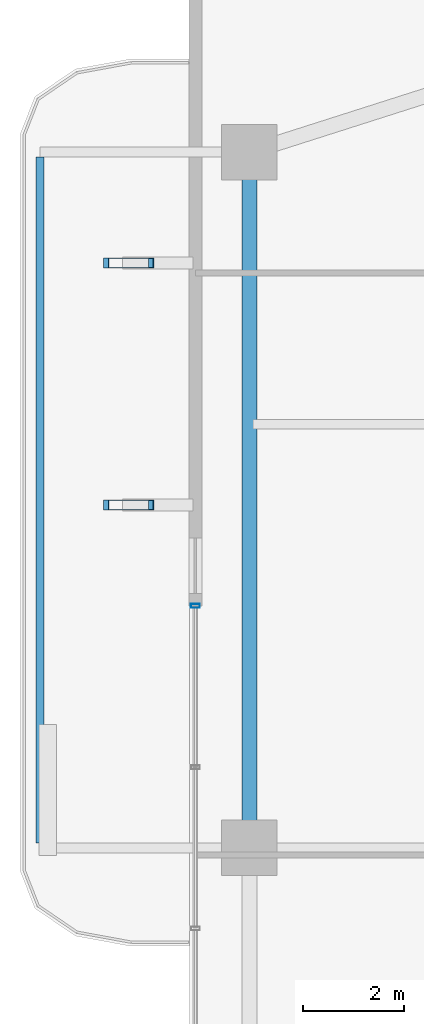
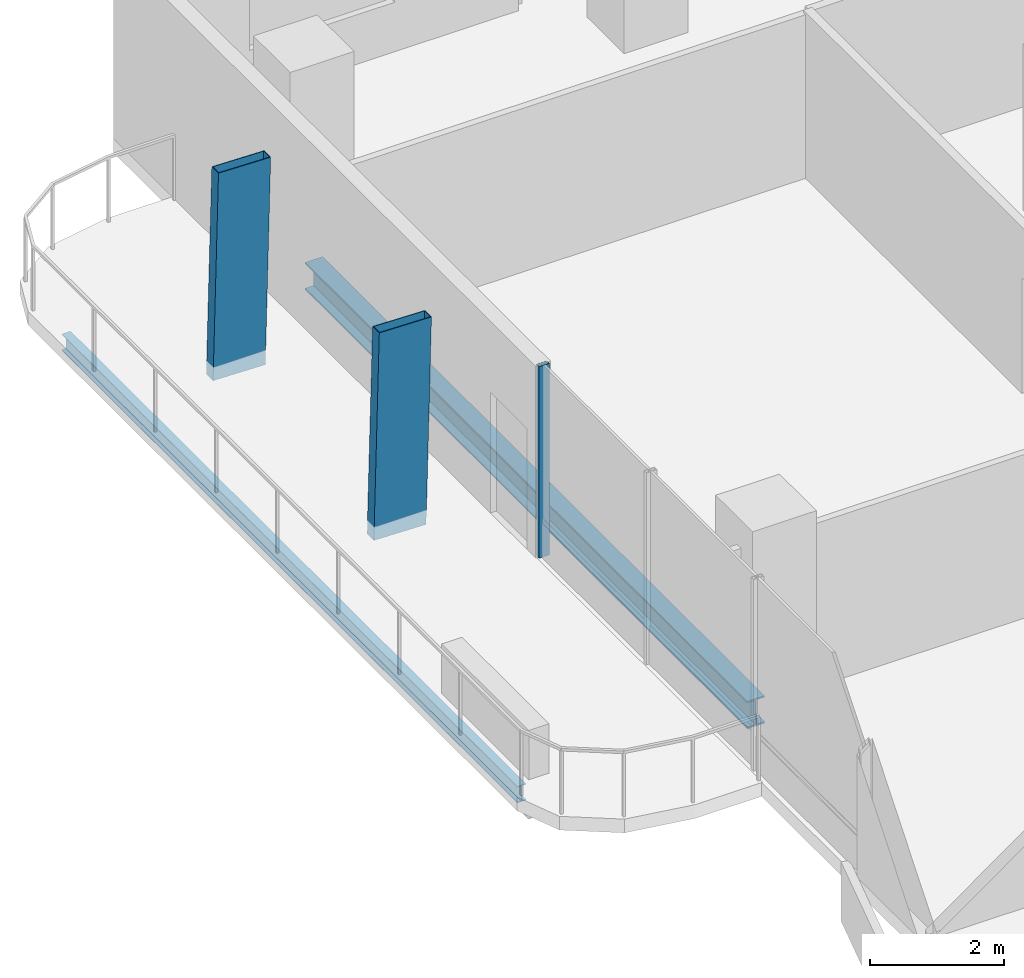
# One storey, part 12 of 25: 3 members, 2 beams, 1 element without a shape of its own.
"""IFC4 building model written with IfcOpenShell, lengths in metres."""

from ifc_helpers import new_model, si_unit, direction, frame, origin, origin_2d, place, context, subcontext, project, spatial, hollow_rectangle, i_section, extrude, material, layer, layer_set, material_profile, profile_set, type_object, element, aggregate, save


model = new_model("IFC4")

# Units and contexts
model_context = context("Model", 3, precision=1e-05, world=origin(), true_north=direction((0.0, 1.0)))
body_context = subcontext(model_context, "Body", "Model", "MODEL_VIEW")
ifc_project = project(units=[si_unit("LENGTHUNIT", "METRE"), si_unit("AREAUNIT", "SQUARE_METRE"), si_unit("VOLUMEUNIT", "CUBIC_METRE"), si_unit("PLANEANGLEUNIT", "RADIAN"), si_unit("MASSUNIT", "GRAM", prefix="KILO")], contexts=[model_context])

# Site, building, storey
site_placement = place(None, origin())
site = spatial("IfcSite", under=ifc_project, at=site_placement, CompositionType="ELEMENT")
building_placement = place(site_placement, origin())
building = spatial("IfcBuilding", under=site, at=building_placement, Name="Belovzor Exchange Tower", CompositionType="ELEMENT")
storey_placement = place(building_placement, frame((0.0, 0.0, 160.800048828125)))
storey = spatial("IfcBuildingStorey", under=building, at=storey_placement, Name="L39", CompositionType="ELEMENT", Elevation=160.800048828125)

# Beam
ifc_material_1 = material(Name="Steel S355", Category="steel")
ifc_material_profile_1 = material_profile(ifc_material_1, i_section(OverallWidth=0.14990234375, OverallDepth=0.300048828125, WebThickness=0.007080078125, FlangeThickness=0.0107421875, at=origin_2d()))
ifc_profile_set_1 = profile_set([ifc_material_profile_1], Name="Steel S355")
beam_type_1 = type_object("IfcBeamType", Name="Planted Balcony Fascia Edge Beam IPE 300", PredefinedType="BEAM", material=ifc_profile_set_1)
beam_1_placement = place(storey_placement, frame((1.547119140625, 42.5, -0.405029296875), z_axis=(0.0, -1.0, 0.0), x_axis=(1.0, 0.0, 0.0)))
element("IfcBeam", 1, at=beam_1_placement, inside=storey, type_object=beam_type_1, Name="BC-300 Planted Balcony Fascia Edge Beam IPE 300", PredefinedType="BEAM", context=body_context, shape_type="SweptSolid", body=[
    extrude(i_section(OverallWidth=0.14990234375, OverallDepth=0.300048828125, WebThickness=0.007080078125, FlangeThickness=0.0107421875, at=origin_2d()), origin(), (0.0, 0.0, 1.0), 13.60009765625),
])

# Members
ifc_material_2 = material(Name="Extruded Architectural Terracotta on Steel S355 Carrier", Category="masonry")
ifc_material_profile_2 = material_profile(ifc_material_2, hollow_rectangle(XDim=0.199951171875, YDim=0.89990234375, WallThickness=0.011962890625, at=origin_2d()))
ifc_profile_set_2 = profile_set([ifc_material_profile_2], Name="Extruded Architectural Terracotta on Steel S355 Carrier")
member_type_1 = type_object("IfcMemberType", Name="Sweeping Terracotta Baguette Fin Assembly 1250", PredefinedType="USERDEFINED", material=ifc_profile_set_2)
for number, where, z_axis, x_axis, name in (
    (2, (3.259033203125, 35.60009765625, -0.255126953125), (0.025057234181, 0.0, 0.999686018215), (0.0, 1.0, 0.0), "FIN-TC125 Terracotta Facade Fin L39 W3"),
    (3, (3.259033203125, 40.39990234375, -0.255126953125), (0.025057234181, 0.0, 0.999686018215), (0.0, 1.0, 0.0), "FIN-TC125 Terracotta Facade Fin L39 W4"),
):
    element("IfcMember", number, at=place(storey_placement, frame(where, z_axis=z_axis, x_axis=x_axis)), inside=storey, type_object=member_type_1, Name=name, ObjectType="FIN", PredefinedType="USERDEFINED", context=body_context, shape_type="SweptSolid", body=[
        extrude(hollow_rectangle(XDim=0.199951171875, YDim=0.89990234375, WallThickness=0.011962890625, at=origin_2d()), origin(), (0.0, 0.0, 1.0), 3.751220703125),
    ])

# Curtain wall, member
ifc_material_3 = material(Name="Anodised Aluminium Framing", Category="aluminium")
ifc_layer = layer(ifc_material_3, 0.179931640625)
ifc_layer_set = layer_set([ifc_layer], Name="Anodised Aluminium Framing")
curtain_wall_type = type_object("IfcCurtainWallType", Name="Recessed Loggia Low-Iron Triple-Glazed Curtain Wall", PredefinedType="NOTDEFINED", material=ifc_layer_set)
curtain_wall_placement = place(storey_placement, origin())
curtain_wall = element("IfcCurtainWall", 4, at=curtain_wall_placement, inside=storey, type_object=curtain_wall_type, Name="CW3 Recessed Loggia Low-Iron Triple-Glazed Curtain Wall L39", PredefinedType="NOTDEFINED")
ifc_material_4 = material(Name="Steel S355", Category="steel")
ifc_material_profile_3 = material_profile(ifc_material_4, hollow_rectangle(XDim=0.074951171875, YDim=0.179931640625, WallThickness=0.0048828125, at=origin_2d()))
ifc_profile_set_3 = profile_set([ifc_material_profile_3], Name="Steel S355")
member_type_2 = type_object("IfcMemberType", Name="Thermally Broken Curtain Wall Mullion 180x75", PredefinedType="MULLION", material=ifc_profile_set_3)
member_placement = place(storey_placement, frame((4.6298828125, 33.60009765625, 0.0), z_axis=(0.0, 0.0, 1.0), x_axis=(0.0, 1.0, 0.0)))
member = element("IfcMember", 5, at=member_placement, type_object=member_type_2, Name="CW-M180 Curtain Wall Mullion 4", PredefinedType="MULLION", context=body_context, shape_type="SweptSolid", body=[
    extrude(hollow_rectangle(XDim=0.074951171875, YDim=0.179931640625, WallThickness=0.0048828125, at=origin_2d()), origin(), (0.0, 0.0, 1.0), 3.494873046875),
])
aggregate(curtain_wall, [member])

# Beam
ifc_material_5 = material(Name="Steel S355", Category="steel")
ifc_material_profile_4 = material_profile(ifc_material_5, i_section(OverallWidth=0.300048828125, OverallDepth=0.5, WebThickness=0.014404296875, FlangeThickness=0.028076171875, at=origin_2d()))
ifc_profile_set_4 = profile_set([ifc_material_profile_4], Name="Steel S355")
beam_type_2 = type_object("IfcBeamType", Name="Zone 3 Waist Primary Girder HEB 500", PredefinedType="BEAM", material=ifc_profile_set_4)
beam_2_placement = place(storey_placement, frame((5.699951171875, 42.297119140625, -0.505126953125), z_axis=(0.0, -1.0, 0.0), x_axis=(1.0, 0.0, 0.0)))
element("IfcBeam", 6, at=beam_2_placement, inside=storey, type_object=beam_type_2, Name="FG-Z3 Zone 3 Waist Primary Girder HEB 500", PredefinedType="BEAM", context=body_context, shape_type="SweptSolid", body=[
    extrude(i_section(OverallWidth=0.300048828125, OverallDepth=0.5, WebThickness=0.014404296875, FlangeThickness=0.028076171875, at=origin_2d()), origin(), (0.0, 0.0, 1.0), 13.195068359375),
])

save(model, "model.ifc")
